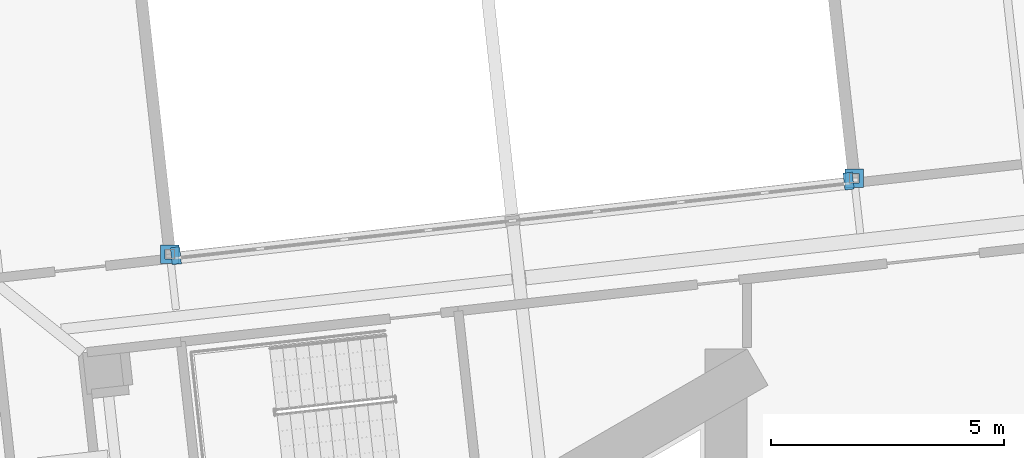
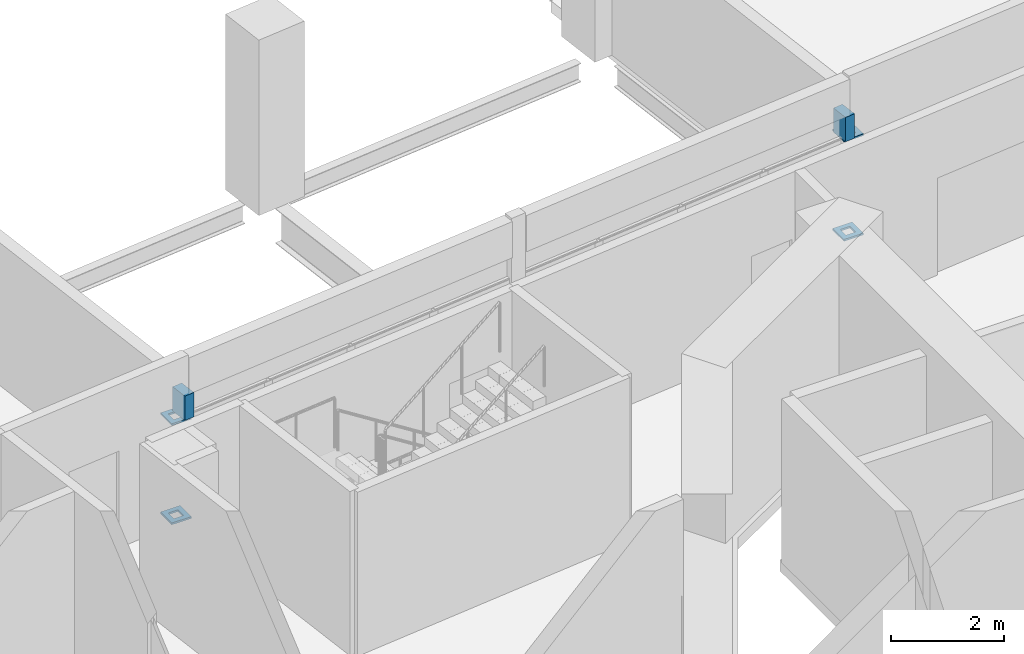
# One storey, part 14 of 21: 6 discrete accessories.
"""IFC4 building model written with IfcOpenShell, lengths in metres."""

import ifcopenshell
import ifcopenshell.guid

model = None  # the IFC model being written
_history = None  # IfcOwnerHistory: only IFC2X3 demands one
_inside = {}  # id of a spatial element -> (the spatial element, [elements in it])
_under = {}  # id of a project, library or spatial element -> (it, [spatial elements below it])
_declared = {}  # id of a project -> (the project, [libraries it declares])
_typed = {}  # id of a type object -> (the type object, [elements of that type])
_made_of = {}  # id of a material, layer set ... -> (it, [elements and type objects made of it])


def new_model(schema):
    """Start an empty IFC model of exactly this schema.

    Asked for "IFC4X3", IfcOpenShell would pick the latest addendum, in which some entities
    have other attributes; the version numbers below select the first issue.
    IFC2X3 requires an IfcOwnerHistory on every rooted entity: one is made here for all.
    """
    global model, _history
    if schema == "IFC4X3":
        model = ifcopenshell.file(schema_version=(4, 3, 0, 0))
    else:
        model = ifcopenshell.file(schema=schema)
    _inside.clear()
    _under.clear()
    _declared.clear()
    _typed.clear()
    _made_of.clear()
    _history = None
    if model.schema == "IFC2X3":
        org = make("IfcOrganization", Name="unknown")
        user = make(
            "IfcPersonAndOrganization",
            ThePerson=make("IfcPerson", FamilyName="unknown"),
            TheOrganization=org,
        )
        app = make(
            "IfcApplication",
            ApplicationDeveloper=org,
            Version="unknown",
            ApplicationFullName="unknown",
            ApplicationIdentifier="unknown",
        )
        _history = make(
            "IfcOwnerHistory",
            OwningUser=user,
            OwningApplication=app,
            ChangeAction="ADDED",
            CreationDate=0,
        )
    return model


def make(cls, **values):
    """One entity of the class cls with the attributes given. An attribute that is None is left unset."""
    return model.create_entity(
        cls, **{name: value for name, value in values.items() if value is not None}
    )


def rooted(cls, **values):
    """An entity with a GlobalId (a new one), such as an element, a storey or a relation."""
    return make(cls, GlobalId=ifcopenshell.guid.new(), OwnerHistory=_history, **values)


def si_unit(unit_type, name, prefix=None):
    """IfcSIUnit, for example si_unit("LENGTHUNIT", "METRE", prefix="MILLI")."""
    return make("IfcSIUnit", UnitType=unit_type, Prefix=prefix, Name=name)


def assignment(units):
    """IfcUnitAssignment: the units of a project."""
    return None if units is None else make("IfcUnitAssignment", Units=units)


def point(xyz):
    """IfcCartesianPoint."""
    return None if xyz is None else make("IfcCartesianPoint", Coordinates=xyz)


def direction(xyz):
    """IfcDirection."""
    return None if xyz is None else make("IfcDirection", DirectionRatios=xyz)


def frame(location, z_axis=None, x_axis=None):
    """IfcAxis2Placement3D, a coordinate frame: its origin and axes. An axis left out is left unset."""
    return make(
        "IfcAxis2Placement3D",
        Location=point(location),
        Axis=direction(z_axis),
        RefDirection=direction(x_axis),
    )


def origin():
    """The frame at (0, 0, 0) with its axes left unset."""
    return frame((0.0, 0.0, 0.0))


def place(relative_to, where):
    """IfcLocalPlacement: puts the frame where relative to a parent placement (None: the world)."""
    return make(
        "IfcLocalPlacement", PlacementRelTo=relative_to, RelativePlacement=where
    )


def context(
    kind, dimensions, precision=None, world=None, true_north=None, identifier=None
):
    """IfcGeometricRepresentationContext, for example the 3D "Model" context."""
    return make(
        "IfcGeometricRepresentationContext",
        ContextIdentifier=identifier,
        ContextType=kind,
        CoordinateSpaceDimension=dimensions,
        Precision=precision,
        WorldCoordinateSystem=world,
        TrueNorth=true_north,
    )


def subcontext(parent, identifier, kind, view, scale=None):
    """IfcGeometricRepresentationSubContext, for example "Body" below "Model"."""
    return make(
        "IfcGeometricRepresentationSubContext",
        ContextIdentifier=identifier,
        ContextType=kind,
        ParentContext=parent,
        TargetScale=scale,
        TargetView=view,
    )


def project(units=None, contexts=None):
    """IfcProject with its units and contexts."""
    return rooted(
        "IfcProject",
        Name="project",
        RepresentationContexts=contexts,
        UnitsInContext=assignment(units),
    )


def spatial(cls, under=None, at=None, **own):
    """A site, building, storey or space (cls), placed at a placement, below another one or the project."""
    s = rooted(cls, ObjectPlacement=at, **own)
    if under is not None:
        _under.setdefault(under.id(), (under, []))[1].append(s)
    return s


def polyline(points):
    """IfcPolyline through the points."""
    return make("IfcPolyline", Points=[point(p) for p in points])


def outline(outer, holes=None, kind="AREA"):
    """IfcArbitraryClosedProfileDef: a profile drawn as a closed curve; with holes, ...WithVoids."""
    if holes is None:
        return make("IfcArbitraryClosedProfileDef", ProfileType=kind, OuterCurve=outer)
    return make(
        "IfcArbitraryProfileDefWithVoids",
        ProfileType=kind,
        OuterCurve=outer,
        InnerCurves=holes,
    )


def extrude(swept, where, along, depth):
    """IfcExtrudedAreaSolid: the profile swept, set in the frame where, extruded along a direction by depth."""
    return make(
        "IfcExtrudedAreaSolid",
        SweptArea=swept,
        Position=where,
        ExtrudedDirection=direction(along),
        Depth=depth,
    )


def shape(context_of_items, identifier, shape_type, items):
    """IfcShapeRepresentation: the items that make up one representation, for example the "Body"."""
    return make(
        "IfcShapeRepresentation",
        ContextOfItems=context_of_items,
        RepresentationIdentifier=identifier,
        RepresentationType=shape_type,
        Items=items,
    )


def material(Name=None, Category=None):
    """IfcMaterial."""
    return make("IfcMaterial", Name=Name, Category=Category)


def layer(
    of_material, thickness, ventilated=None, Name=None, Category=None, Priority=None
):
    """IfcMaterialLayer: one layer of a wall or slab, of a material (None: an air gap)."""
    return make(
        "IfcMaterialLayer",
        Material=of_material,
        LayerThickness=thickness,
        IsVentilated=ventilated,
        Name=Name,
        Category=Category,
        Priority=Priority,
    )


def layer_set(layers, Name=None):
    """IfcMaterialLayerSet."""
    return make("IfcMaterialLayerSet", MaterialLayers=layers, LayerSetName=Name)


def made_of(thing, what):
    """Note that an element or type object is made of a material, layer set ...; save() writes the relation."""
    if what is not None:
        _made_of.setdefault(what.id(), (what, []))[1].append(thing)
    return thing


def type_object(cls, material=None, **own):
    """A type object (cls), such as IfcWallType, which elements share."""
    return made_of(rooted(cls, **own), material)


def element(
    cls,
    number,
    at=None,
    inside=None,
    cuts=None,
    type_object=None,
    material=None,
    context=None,
    identifier="Body",
    shape_type=None,
    held_by="IfcProductDefinitionShape",
    body=None,
    shapes=None,
    **own,
):
    """One element of the class cls, such as IfcWall. Its Tag is "e" and its number.

    at: its placement. inside: the storey or other place that contains it. cuts: it is an
    opening in that element (IfcRelVoidsElement). A single representation is given by context,
    identifier, shape_type and body (its items); several are given by shapes. held_by: the class
    of the entity that holds the representations. save() writes the other relations.
    """
    e = rooted(cls, Tag="e%d" % number, ObjectPlacement=at, **own)
    if body is not None:
        shapes = [shape(context, identifier, shape_type, body)]
    if shapes is not None:
        e.Representation = make(held_by, Representations=shapes)
    if inside is not None:
        _inside.setdefault(inside.id(), (inside, []))[1].append(e)
    if cuts is not None:
        rooted(
            "IfcRelVoidsElement", RelatingBuildingElement=cuts, RelatedOpeningElement=e
        )
    if type_object is not None:
        _typed.setdefault(type_object.id(), (type_object, []))[1].append(e)
    return made_of(e, material)


def aggregate(whole, parts):
    """IfcRelAggregates: a whole, such as a stair, and the parts it consists of."""
    return rooted("IfcRelAggregates", RelatingObject=whole, RelatedObjects=parts)


def save(model, path):
    """Write the relations noted so far, then the file.

    IfcRelAggregates (storeys below a building ...), IfcRelContainedInSpatialStructure (elements
    in a storey), IfcRelDefinesByType, IfcRelAssociatesMaterial and IfcRelDeclares: one each for
    every whole, place, type object, material and project.
    """
    for whole, parts in _under.values():
        aggregate(whole, parts)
    for where, things in _inside.values():
        rooted(
            "IfcRelContainedInSpatialStructure",
            RelatedElements=things,
            RelatingStructure=where,
        )
    for kind, things in _typed.values():
        rooted("IfcRelDefinesByType", RelatedObjects=things, RelatingType=kind)
    for what, things in _made_of.values():
        rooted("IfcRelAssociatesMaterial", RelatedObjects=things, RelatingMaterial=what)
    for by, libraries in _declared.values():
        rooted("IfcRelDeclares", RelatingContext=by, RelatedDefinitions=libraries)
    model.write(path)


model = new_model("IFC4")

# Units and contexts
model_context = context("Model", 3, precision=1e-05, world=origin(), true_north=direction((0.0, 1.0)))
body_context = subcontext(model_context, "Body", "Model", "MODEL_VIEW")
ifc_project = project(units=[si_unit("LENGTHUNIT", "METRE"), si_unit("AREAUNIT", "SQUARE_METRE"), si_unit("VOLUMEUNIT", "CUBIC_METRE"), si_unit("PLANEANGLEUNIT", "RADIAN"), si_unit("MASSUNIT", "GRAM", prefix="KILO")], contexts=[model_context])

# Site, building, storey
site_placement = place(None, origin())
site = spatial("IfcSite", under=ifc_project, at=site_placement, CompositionType="ELEMENT")
building_placement = place(site_placement, origin())
building = spatial("IfcBuilding", under=site, at=building_placement, Name="Cantera Rosa Tower", CompositionType="ELEMENT")
storey_placement = place(building_placement, frame((0.0, 0.0, 57.699951171875)))
storey = spatial("IfcBuildingStorey", under=building, at=storey_placement, Name="L11", CompositionType="ELEMENT", Elevation=57.699951171875)

# Discrete accessories
ifc_material = material(Name="Steel ASTM A992 (Fy 345 MPa)", Category="steel")
ifc_layer = layer(ifc_material, 0.0400390625)
ifc_layer_set = layer_set([ifc_layer], Name="STEEL BEARING PLATE 40")
discrete_accessory_type = type_object("IfcDiscreteAccessoryType", Name="STEEL BEARING PLATE 40", PredefinedType="ANCHORPLATE", material=ifc_layer_set)
for number, where, name in (
    (1, (0.0, 0.0, 0.0), "POST PLATE L11-1F"),
    (2, (0.0, 0.0, 2.14794921875), "POST PLATE L11-1T"),
):
    element("IfcDiscreteAccessory", number, at=place(storey_placement, frame(where)), inside=storey, type_object=discrete_accessory_type, Name=name, PredefinedType="ANCHORPLATE", context=body_context, shape_type="SweptSolid", body=[
        extrude(outline(polyline([(-1.898681640625, 15.10595703125), (-1.498779296875, 15.10595703125), (-1.498779296875, 15.506103515625), (-1.898681640625, 15.506103515625), (-1.898681640625, 15.10595703125)]), holes=[polyline([(-1.798828125, 15.2060546875), (-1.598876953125, 15.2060546875), (-1.598876953125, 15.406005859375), (-1.798828125, 15.406005859375), (-1.798828125, 15.2060546875)])]), origin(), (0.0, 0.0, 1.0), 0.0400390625),
    ])
for number, where, name in (
    (3, (0.0, 0.0, 0.0), "POST PLATE L11-2F"),
    (4, (0.0, 0.0, 2.14794921875), "POST PLATE L11-2T"),
):
    element("IfcDiscreteAccessory", number, at=place(storey_placement, frame(where)), inside=storey, type_object=discrete_accessory_type, Name=name, PredefinedType="ANCHORPLATE", context=body_context, shape_type="SweptSolid", body=[
        extrude(outline(polyline([(-16.6083984375, 13.473388671875), (-16.20849609375, 13.473388671875), (-16.20849609375, 13.873291015625), (-16.6083984375, 13.873291015625), (-16.6083984375, 13.473388671875)]), holes=[polyline([(-16.508544921875, 13.573486328125), (-16.30859375, 13.573486328125), (-16.30859375, 13.7734375), (-16.508544921875, 13.7734375), (-16.508544921875, 13.573486328125)])]), origin(), (0.0, 0.0, 1.0), 0.0400390625),
    ])
discrete_accessory_1_placement = place(storey_placement, frame((0.0, 0.0, 2.18798828125)))
element("IfcDiscreteAccessory", 5, at=discrete_accessory_1_placement, inside=storey, type_object=discrete_accessory_type, Name="LINTEL PLATE L11-1", PredefinedType="ANCHORPLATE", context=body_context, shape_type="SweptSolid", body=[
    extrude(outline(polyline([(-1.896728515625, 15.049560546875), (-1.697998046875, 15.07177734375), (-1.73828125, 15.435302734375), (-1.93701171875, 15.413330078125), (-1.896728515625, 15.049560546875)])), origin(), (0.0, 0.0, 1.0), 0.528076171875),
])
discrete_accessory_2_placement = place(storey_placement, frame((0.0, 0.0, 2.18798828125)))
element("IfcDiscreteAccessory", 6, at=discrete_accessory_2_placement, inside=storey, type_object=discrete_accessory_type, Name="LINTEL PLATE L11-2", PredefinedType="ANCHORPLATE", context=body_context, shape_type="SweptSolid", body=[
    extrude(outline(polyline([(-16.199462890625, 13.830322265625), (-16.398193359375, 13.808349609375), (-16.35791015625, 13.444580078125), (-16.1591796875, 13.466552734375), (-16.199462890625, 13.830322265625)])), origin(), (0.0, 0.0, 1.0), 0.528076171875),
])

save(model, "model.ifc")
